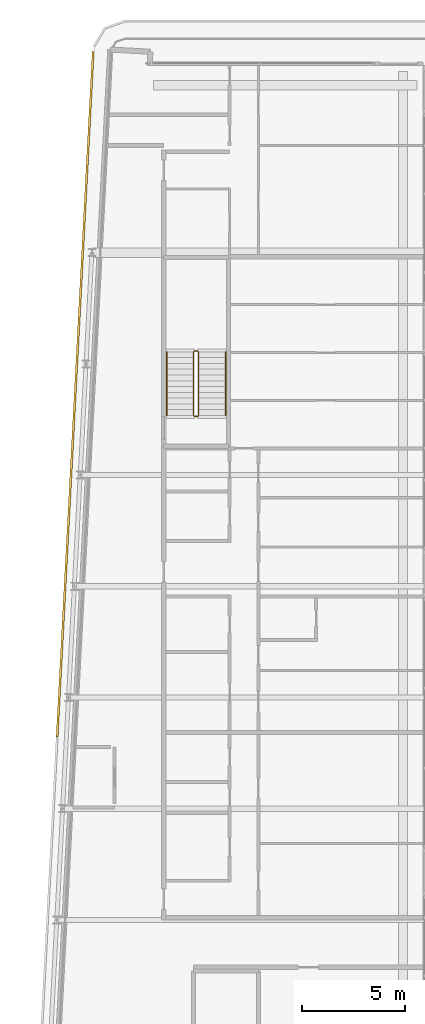
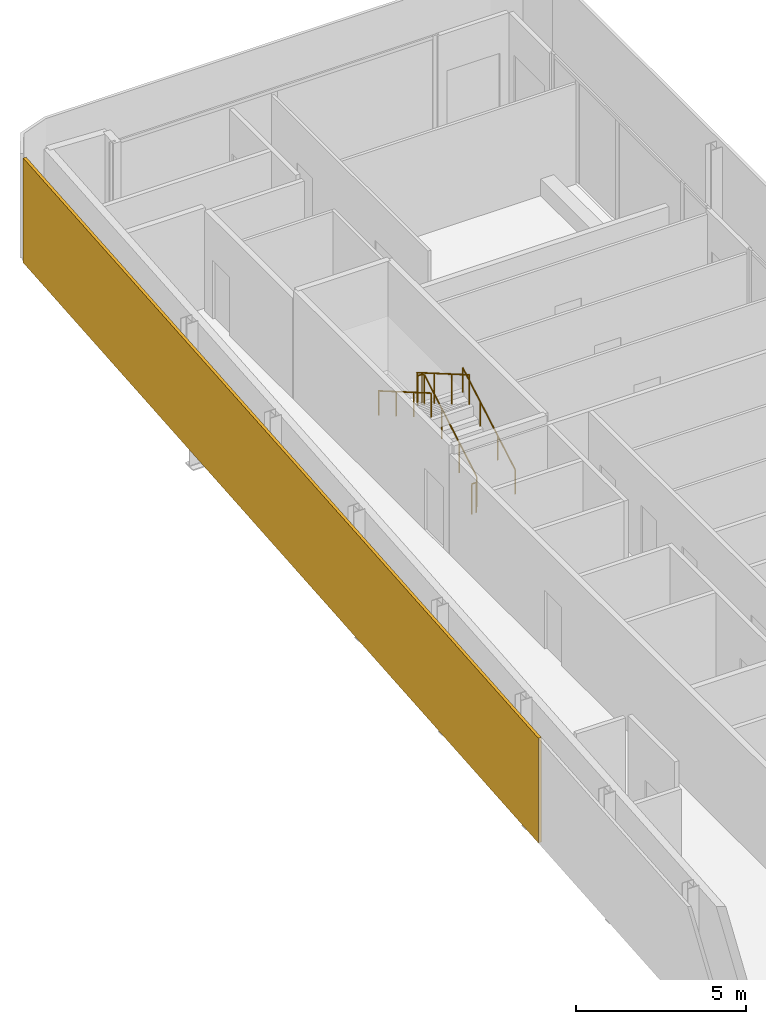
# One storey, part 16 of 18: 4 railings, 1 shading device.
"""IFC4 building model written with IfcOpenShell, lengths in metres."""

import ifcopenshell
import ifcopenshell.guid

model = None  # the IFC model being written
_history = None  # IfcOwnerHistory: only IFC2X3 demands one
_inside = {}  # id of a spatial element -> (the spatial element, [elements in it])
_under = {}  # id of a project, library or spatial element -> (it, [spatial elements below it])
_declared = {}  # id of a project -> (the project, [libraries it declares])
_typed = {}  # id of a type object -> (the type object, [elements of that type])
_made_of = {}  # id of a material, layer set ... -> (it, [elements and type objects made of it])


def new_model(schema):
    """Start an empty IFC model of exactly this schema.

    Asked for "IFC4X3", IfcOpenShell would pick the latest addendum, in which some entities
    have other attributes; the version numbers below select the first issue.
    IFC2X3 requires an IfcOwnerHistory on every rooted entity: one is made here for all.
    """
    global model, _history
    if schema == "IFC4X3":
        model = ifcopenshell.file(schema_version=(4, 3, 0, 0))
    else:
        model = ifcopenshell.file(schema=schema)
    _inside.clear()
    _under.clear()
    _declared.clear()
    _typed.clear()
    _made_of.clear()
    _history = None
    if model.schema == "IFC2X3":
        org = make("IfcOrganization", Name="unknown")
        user = make(
            "IfcPersonAndOrganization",
            ThePerson=make("IfcPerson", FamilyName="unknown"),
            TheOrganization=org,
        )
        app = make(
            "IfcApplication",
            ApplicationDeveloper=org,
            Version="unknown",
            ApplicationFullName="unknown",
            ApplicationIdentifier="unknown",
        )
        _history = make(
            "IfcOwnerHistory",
            OwningUser=user,
            OwningApplication=app,
            ChangeAction="ADDED",
            CreationDate=0,
        )
    return model


def make(cls, **values):
    """One entity of the class cls with the attributes given. An attribute that is None is left unset."""
    return model.create_entity(
        cls, **{name: value for name, value in values.items() if value is not None}
    )


def rooted(cls, **values):
    """An entity with a GlobalId (a new one), such as an element, a storey or a relation."""
    return make(cls, GlobalId=ifcopenshell.guid.new(), OwnerHistory=_history, **values)


def si_unit(unit_type, name, prefix=None):
    """IfcSIUnit, for example si_unit("LENGTHUNIT", "METRE", prefix="MILLI")."""
    return make("IfcSIUnit", UnitType=unit_type, Prefix=prefix, Name=name)


def assignment(units):
    """IfcUnitAssignment: the units of a project."""
    return None if units is None else make("IfcUnitAssignment", Units=units)


def point(xyz):
    """IfcCartesianPoint."""
    return None if xyz is None else make("IfcCartesianPoint", Coordinates=xyz)


def direction(xyz):
    """IfcDirection."""
    return None if xyz is None else make("IfcDirection", DirectionRatios=xyz)


def frame(location, z_axis=None, x_axis=None):
    """IfcAxis2Placement3D, a coordinate frame: its origin and axes. An axis left out is left unset."""
    return make(
        "IfcAxis2Placement3D",
        Location=point(location),
        Axis=direction(z_axis),
        RefDirection=direction(x_axis),
    )


def frame_2d(location, x_axis=None):
    """IfcAxis2Placement2D, a coordinate frame in the plane: its origin and x axis."""
    return make(
        "IfcAxis2Placement2D", Location=point(location), RefDirection=direction(x_axis)
    )


def origin():
    """The frame at (0, 0, 0) with its axes left unset."""
    return frame((0.0, 0.0, 0.0))


def origin_2d():
    """The frame at (0, 0) in the plane with its x axis left unset."""
    return frame_2d((0.0, 0.0))


def place(relative_to, where):
    """IfcLocalPlacement: puts the frame where relative to a parent placement (None: the world)."""
    return make(
        "IfcLocalPlacement", PlacementRelTo=relative_to, RelativePlacement=where
    )


def context(
    kind, dimensions, precision=None, world=None, true_north=None, identifier=None
):
    """IfcGeometricRepresentationContext, for example the 3D "Model" context."""
    return make(
        "IfcGeometricRepresentationContext",
        ContextIdentifier=identifier,
        ContextType=kind,
        CoordinateSpaceDimension=dimensions,
        Precision=precision,
        WorldCoordinateSystem=world,
        TrueNorth=true_north,
    )


def subcontext(parent, identifier, kind, view, scale=None):
    """IfcGeometricRepresentationSubContext, for example "Body" below "Model"."""
    return make(
        "IfcGeometricRepresentationSubContext",
        ContextIdentifier=identifier,
        ContextType=kind,
        ParentContext=parent,
        TargetScale=scale,
        TargetView=view,
    )


def project(units=None, contexts=None):
    """IfcProject with its units and contexts."""
    return rooted(
        "IfcProject",
        Name="project",
        RepresentationContexts=contexts,
        UnitsInContext=assignment(units),
    )


def spatial(cls, under=None, at=None, **own):
    """A site, building, storey or space (cls), placed at a placement, below another one or the project."""
    s = rooted(cls, ObjectPlacement=at, **own)
    if under is not None:
        _under.setdefault(under.id(), (under, []))[1].append(s)
    return s


def profile(cls, at=None, kind="AREA", **sizes):
    """A parametric profile (cls). Its sizes go by their IFC names, for example OverallWidth=200.0."""
    return make(cls, ProfileType=kind, Position=at, **sizes)


def rectangle(**sizes):
    """IfcRectangleProfileDef."""
    return profile("IfcRectangleProfileDef", **sizes)


def circle(**sizes):
    """IfcCircleProfileDef."""
    return profile("IfcCircleProfileDef", **sizes)


def extrude(swept, where, along, depth):
    """IfcExtrudedAreaSolid: the profile swept, set in the frame where, extruded along a direction by depth."""
    return make(
        "IfcExtrudedAreaSolid",
        SweptArea=swept,
        Position=where,
        ExtrudedDirection=direction(along),
        Depth=depth,
    )


def shape(context_of_items, identifier, shape_type, items):
    """IfcShapeRepresentation: the items that make up one representation, for example the "Body"."""
    return make(
        "IfcShapeRepresentation",
        ContextOfItems=context_of_items,
        RepresentationIdentifier=identifier,
        RepresentationType=shape_type,
        Items=items,
    )


def material(Name=None, Category=None):
    """IfcMaterial."""
    return make("IfcMaterial", Name=Name, Category=Category)


def layer(
    of_material, thickness, ventilated=None, Name=None, Category=None, Priority=None
):
    """IfcMaterialLayer: one layer of a wall or slab, of a material (None: an air gap)."""
    return make(
        "IfcMaterialLayer",
        Material=of_material,
        LayerThickness=thickness,
        IsVentilated=ventilated,
        Name=Name,
        Category=Category,
        Priority=Priority,
    )


def layer_set(layers, Name=None):
    """IfcMaterialLayerSet."""
    return make("IfcMaterialLayerSet", MaterialLayers=layers, LayerSetName=Name)


def made_of(thing, what):
    """Note that an element or type object is made of a material, layer set ...; save() writes the relation."""
    if what is not None:
        _made_of.setdefault(what.id(), (what, []))[1].append(thing)
    return thing


def type_object(cls, material=None, **own):
    """A type object (cls), such as IfcWallType, which elements share."""
    return made_of(rooted(cls, **own), material)


def element(
    cls,
    number,
    at=None,
    inside=None,
    cuts=None,
    type_object=None,
    material=None,
    context=None,
    identifier="Body",
    shape_type=None,
    held_by="IfcProductDefinitionShape",
    body=None,
    shapes=None,
    **own,
):
    """One element of the class cls, such as IfcWall. Its Tag is "e" and its number.

    at: its placement. inside: the storey or other place that contains it. cuts: it is an
    opening in that element (IfcRelVoidsElement). A single representation is given by context,
    identifier, shape_type and body (its items); several are given by shapes. held_by: the class
    of the entity that holds the representations. save() writes the other relations.
    """
    e = rooted(cls, Tag="e%d" % number, ObjectPlacement=at, **own)
    if body is not None:
        shapes = [shape(context, identifier, shape_type, body)]
    if shapes is not None:
        e.Representation = make(held_by, Representations=shapes)
    if inside is not None:
        _inside.setdefault(inside.id(), (inside, []))[1].append(e)
    if cuts is not None:
        rooted(
            "IfcRelVoidsElement", RelatingBuildingElement=cuts, RelatedOpeningElement=e
        )
    if type_object is not None:
        _typed.setdefault(type_object.id(), (type_object, []))[1].append(e)
    return made_of(e, material)


def aggregate(whole, parts):
    """IfcRelAggregates: a whole, such as a stair, and the parts it consists of."""
    return rooted("IfcRelAggregates", RelatingObject=whole, RelatedObjects=parts)


def save(model, path):
    """Write the relations noted so far, then the file.

    IfcRelAggregates (storeys below a building ...), IfcRelContainedInSpatialStructure (elements
    in a storey), IfcRelDefinesByType, IfcRelAssociatesMaterial and IfcRelDeclares: one each for
    every whole, place, type object, material and project.
    """
    for whole, parts in _under.values():
        aggregate(whole, parts)
    for where, things in _inside.values():
        rooted(
            "IfcRelContainedInSpatialStructure",
            RelatedElements=things,
            RelatingStructure=where,
        )
    for kind, things in _typed.values():
        rooted("IfcRelDefinesByType", RelatedObjects=things, RelatingType=kind)
    for what, things in _made_of.values():
        rooted("IfcRelAssociatesMaterial", RelatedObjects=things, RelatingMaterial=what)
    for by, libraries in _declared.values():
        rooted("IfcRelDeclares", RelatingContext=by, RelatedDefinitions=libraries)
    model.write(path)


model = new_model("IFC4")

# Units and contexts
model_context = context("Model", 3, precision=1e-05, world=origin(), true_north=direction((0.0, 1.0)))
body_context = subcontext(model_context, "Body", "Model", "MODEL_VIEW")
ifc_project = project(units=[si_unit("LENGTHUNIT", "METRE"), si_unit("AREAUNIT", "SQUARE_METRE"), si_unit("VOLUMEUNIT", "CUBIC_METRE"), si_unit("PLANEANGLEUNIT", "RADIAN"), si_unit("MASSUNIT", "GRAM", prefix="KILO")], contexts=[model_context])

# Site, building, storey
site_placement = place(None, origin())
site = spatial("IfcSite", under=ifc_project, at=site_placement, CompositionType="ELEMENT")
building_placement = place(site_placement, origin())
building = spatial("IfcBuilding", under=site, at=building_placement, Name="Kheshtan School and Residences Tower", CompositionType="ELEMENT")
storey_placement = place(building_placement, frame((0.0, 0.0, 365.60009765625)))
storey = spatial("IfcBuildingStorey", under=building, at=storey_placement, Name="L86", CompositionType="ELEMENT", Elevation=365.60009765625)

# Shading device
ifc_material_1 = material(Name="Terracotta baguette, extruded ceramic", Category="masonry")
ifc_layer = layer(ifc_material_1, 0.10009765625)
ifc_layer_set = layer_set([ifc_layer], Name="Ledge screen, terracotta baguettes")
shading_device_type = type_object("IfcShadingDeviceType", Name="Ledge screen, terracotta baguettes", PredefinedType="USERDEFINED", material=ifc_layer_set)
shading_device_placement = place(storey_placement, frame((28.9990234375, 81.93408203125, 0.0), z_axis=(0.0, 0.0, 1.0), x_axis=(0.052562536748, 0.998617634398, 0.0)))
element("IfcShadingDevice", 1, at=shading_device_placement, inside=storey, type_object=shading_device_type, Name="Screen L86 5", ObjectType="BAGUETTE", PredefinedType="USERDEFINED", context=body_context, shape_type="SweptSolid", body=[
    extrude(rectangle(XDim=33.341064453125, YDim=0.10009765625, at=origin_2d()), origin(), (0.0, 0.0, 1.0), 3.75),
])

# Railings
ifc_material_2 = material(Name="Stainless steel balustrade", Category="steel")
railing_type_1 = type_object("IfcRailingType", Name="Stair guard 1100", PredefinedType="GUARDRAIL", material=ifc_material_2)
railing_1_placement = place(storey_placement, frame((35.0, 80.89990234375, 0.162353515625)))
element("IfcRailing", 2, at=railing_1_placement, inside=storey, type_object=railing_type_1, Name="L86 ST3 stair guard 1", PredefinedType="GUARDRAIL", context=body_context, shape_type="SweptSolid", body=[
    extrude(circle(Radius=0.02392578125, at=origin_2d()), frame((0.0, 0.0, 1.076171875), z_axis=(0.0, 0.864890721111, 0.501960198159), x_axis=(-1.0, 0.0, 0.0)), (0.0, 0.0, 1.0), 3.561279296875),
    extrude(circle(Radius=0.02392578125, at=origin_2d()), frame((0.0, 3.080078125, 2.86376953125), z_axis=(-0.707106781187, 0.707106781187, 0.0), x_axis=(-0.707106781187, -0.707106781187, 0.0)), (0.0, 0.0, 1.0), 0.07080078125),
    extrude(circle(Radius=0.02392578125, at=origin_2d()), frame((-0.050048828125, 3.130126953125, 2.86376953125), z_axis=(-1.0, 0.0, 0.0), x_axis=(0.0, -1.0, 0.0)), (0.0, 0.0, 1.0), 0.14990234375),
    extrude(circle(Radius=0.02392578125, at=origin_2d()), frame((-0.199951171875, 3.130126953125, 2.86376953125), z_axis=(-0.282583949758, -0.282583949758, 0.916674763849), x_axis=(0.707106781187, -0.707106781187, 0.0)), (0.0, 0.0, 1.0), 0.177001953125),
    extrude(circle(Radius=0.02392578125, at=origin_2d()), frame((-0.25, 3.080078125, 3.02587890625), z_axis=(0.0, -0.864890721111, 0.501960198159), x_axis=(1.0, 0.0, 0.0)), (0.0, 0.0, 1.0), 3.561279296875),
    extrude(circle(Radius=0.02099609375, at=origin_2d()), origin(), (0.0, 0.0, 1.0), 1.052001953125),
    extrude(circle(Radius=0.02099609375, at=origin_2d()), frame((0.0, 1.026611328125, 0.595947265625)), (0.0, 0.0, 1.0), 1.052001953125),
    extrude(circle(Radius=0.02099609375, at=origin_2d()), frame((0.0, 2.053466796875, 1.191650390625)), (0.0, 0.0, 1.0), 1.052001953125),
    extrude(circle(Radius=0.02099609375, at=origin_2d()), frame((0.0, 3.080078125, 1.78759765625)), (0.0, 0.0, 1.0), 1.052001953125),
    extrude(circle(Radius=0.02099609375, at=origin_2d()), frame((-0.050048828125, 3.130126953125, 1.78759765625)), (0.0, 0.0, 1.0), 1.052001953125),
    extrude(circle(Radius=0.02099609375, at=origin_2d()), frame((-0.199951171875, 3.130126953125, 1.78759765625)), (0.0, 0.0, 1.0), 1.052001953125),
    extrude(circle(Radius=0.02099609375, at=origin_2d()), frame((-0.25, 3.080078125, 1.949951171875)), (0.0, 0.0, 1.0), 1.052001953125),
    extrude(circle(Radius=0.02099609375, at=origin_2d()), frame((-0.25, 2.053466796875, 2.5458984375)), (0.0, 0.0, 1.0), 1.052001953125),
    extrude(circle(Radius=0.02099609375, at=origin_2d()), frame((-0.25, 1.026611328125, 3.1416015625)), (0.0, 0.0, 1.0), 1.052001953125),
    extrude(circle(Radius=0.02099609375, at=origin_2d()), frame((-0.25, 0.0, 3.737548828125)), (0.0, 0.0, 1.0), 1.052001953125),
])
railing_2_placement = place(storey_placement, frame((34.949951171875, 80.85009765625, 0.0)))
element("IfcRailing", 3, at=railing_2_placement, inside=storey, type_object=railing_type_1, Name="L86 ST3 stair guard 2", PredefinedType="GUARDRAIL", context=body_context, shape_type="SweptSolid", body=[
    extrude(circle(Radius=0.02392578125, at=origin_2d()), frame((0.0, 0.0, 1.076171875), z_axis=(-1.0, 0.0, 0.0), x_axis=(0.0, -1.0, 0.0)), (0.0, 0.0, 1.0), 0.14990234375),
    extrude(circle(Radius=0.02099609375, at=origin_2d()), origin(), (0.0, 0.0, 1.0), 1.052001953125),
    extrude(circle(Radius=0.02099609375, at=origin_2d()), frame((-0.14990234375, 0.0, 0.0)), (0.0, 0.0, 1.0), 1.052001953125),
])
ifc_material_3 = material(Name="Stainless steel handrail", Category="steel")
railing_type_2 = type_object("IfcRailingType", Name="Stair handrail 900", PredefinedType="HANDRAIL", material=ifc_material_3)
railing_3_placement = place(storey_placement, frame((36.300048828125, 80.89990234375, 0.162353515625)))
element("IfcRailing", 4, at=railing_3_placement, inside=storey, type_object=railing_type_2, Name="L86 ST3 stair handrail 1", PredefinedType="HANDRAIL", context=body_context, shape_type="SweptSolid", body=[
    extrude(circle(Radius=0.02392578125, at=origin_2d()), frame((0.0, 0.0, 0.8759765625), z_axis=(0.0, 0.864890721111, 0.501960198159), x_axis=(-1.0, 0.0, 0.0)), (0.0, 0.0, 1.0), 3.561279296875),
    extrude(circle(Radius=0.02099609375, at=origin_2d()), origin(), (0.0, 0.0, 1.0), 0.851806640625),
    extrude(circle(Radius=0.02099609375, at=origin_2d()), frame((0.0, 1.026611328125, 0.595947265625)), (0.0, 0.0, 1.0), 0.851806640625),
    extrude(circle(Radius=0.02099609375, at=origin_2d()), frame((0.0, 2.053466796875, 1.191650390625)), (0.0, 0.0, 1.0), 0.851806640625),
    extrude(circle(Radius=0.02099609375, at=origin_2d()), frame((0.0, 3.080078125, 1.78759765625)), (0.0, 0.0, 1.0), 0.851806640625),
])
railing_4_placement = place(storey_placement, frame((33.449951171875, 83.97998046875, 2.1123046875)))
element("IfcRailing", 5, at=railing_4_placement, inside=storey, type_object=railing_type_2, Name="L86 ST3 stair handrail 2", PredefinedType="HANDRAIL", context=body_context, shape_type="SweptSolid", body=[
    extrude(circle(Radius=0.02392578125, at=origin_2d()), frame((0.0, 0.0, 0.8759765625), z_axis=(0.0, -0.864890721111, 0.501960198159), x_axis=(1.0, 0.0, 0.0)), (0.0, 0.0, 1.0), 3.561279296875),
    extrude(circle(Radius=0.02099609375, at=origin_2d()), origin(), (0.0, 0.0, 1.0), 0.851806640625),
    extrude(circle(Radius=0.02099609375, at=origin_2d()), frame((0.0, -1.026611328125, 0.595947265625)), (0.0, 0.0, 1.0), 0.851806640625),
    extrude(circle(Radius=0.02099609375, at=origin_2d()), frame((0.0, -2.053466796875, 1.191650390625)), (0.0, 0.0, 1.0), 0.851806640625),
    extrude(circle(Radius=0.02099609375, at=origin_2d()), frame((0.0, -3.080078125, 1.78759765625)), (0.0, 0.0, 1.0), 0.851806640625),
])

save(model, "model.ifc")
